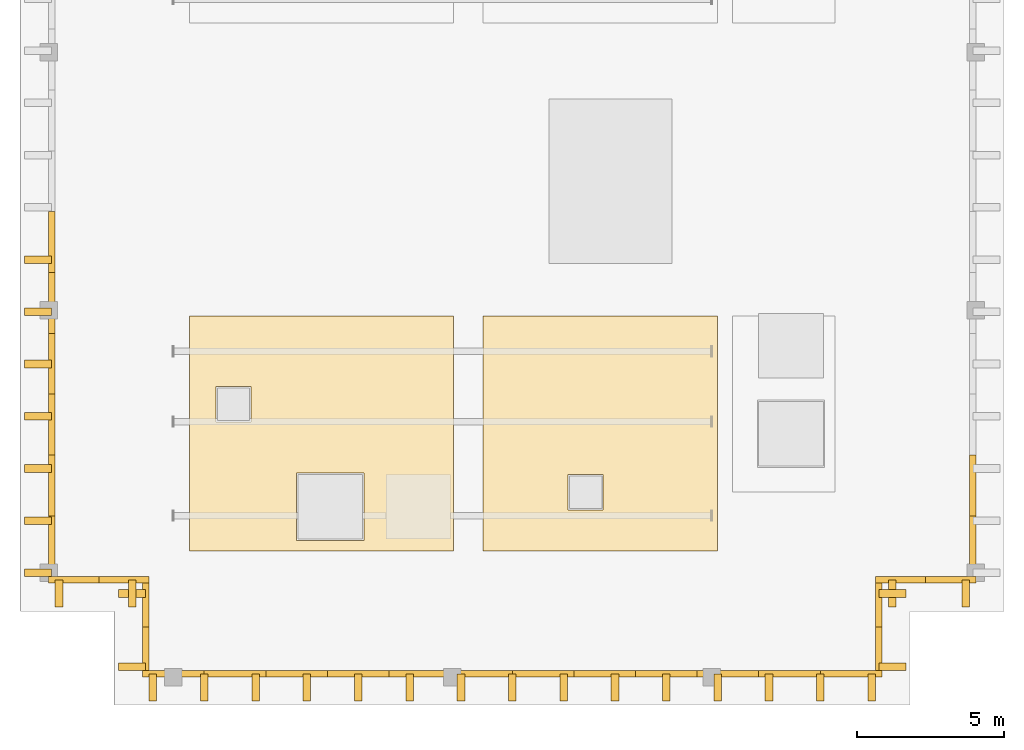
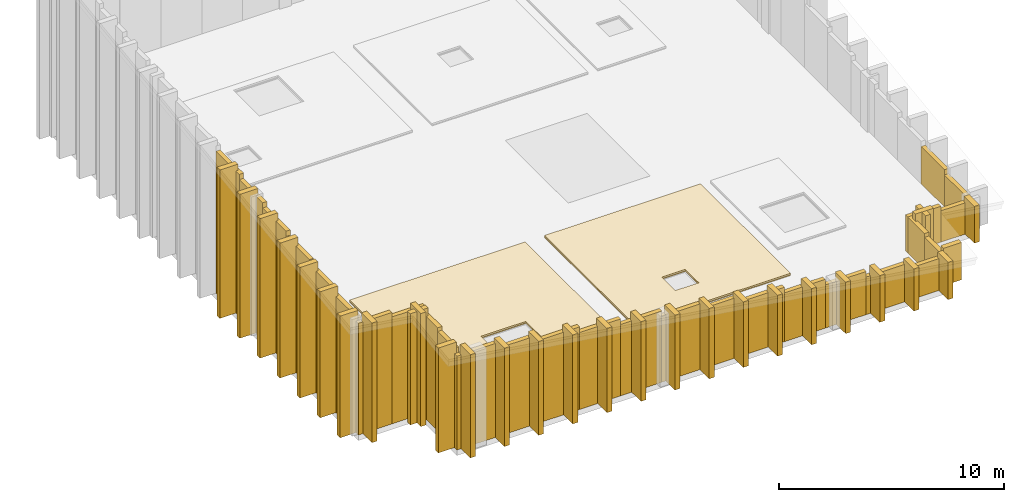
# One storey, part 3 of 5: 62 coverings.
"""IFC4 building model written with IfcOpenShell, lengths in metres."""

from ifc_helpers import new_model, si_unit, direction, frame, origin, place, context, subcontext, project, spatial, polyline, outline, extrude, material, layer, layer_set, type_object, element, save


model = new_model("IFC4")

# Units and contexts
model_context = context("Model", 3, precision=1e-05, world=origin(), true_north=direction((0.0, 1.0)))
body_context = subcontext(model_context, "Body", "Model", "MODEL_VIEW")
ifc_project = project(units=[si_unit("LENGTHUNIT", "METRE"), si_unit("AREAUNIT", "SQUARE_METRE"), si_unit("VOLUMEUNIT", "CUBIC_METRE"), si_unit("PLANEANGLEUNIT", "RADIAN"), si_unit("MASSUNIT", "GRAM", prefix="KILO")], contexts=[model_context])

# Site, building, storey
site_placement = place(None, origin())
site = spatial("IfcSite", under=ifc_project, at=site_placement, CompositionType="ELEMENT")
building_placement = place(site_placement, origin())
building = spatial("IfcBuilding", under=site, at=building_placement, Name="Kundavana Baori Tower", CompositionType="ELEMENT")
storey_placement = place(building_placement, frame((0.0, 0.0, 368.39990234375)))
storey = spatial("IfcBuildingStorey", under=building, at=storey_placement, Name="L89", CompositionType="ELEMENT", Elevation=368.39990234375)

# Coverings
ifc_material_1 = material(Name="Red-Buff Dholpur Sandstone Cladding on Concrete C40/50", Category="masonry")
ifc_layer_1 = layer(ifc_material_1, 0.050048828125, Name="COV-EXT-CLAD")
ifc_layer_set_1 = layer_set([ifc_layer_1], Name="Red-Buff Dholpur Sandstone Cladding on Concrete C40/50")
covering_type_1 = type_object("IfcCoveringType", Name="COV-EXT-CLAD", PredefinedType="CLADDING", material=ifc_layer_set_1)
covering_1_placement = place(storey_placement, origin())
element("IfcCovering", 1, at=covering_1_placement, inside=storey, type_object=covering_type_1, Name="L89 Sloped Sail Crown Stone Cladding Drum 01-01", PredefinedType="CLADDING", context=body_context, shape_type="SweptSolid", body=[
    extrude(outline(polyline([(14.39990234375, 11.699951171875), (16.5, 11.699951171875), (16.5, 11.919921875), (14.39990234375, 11.919921875), (14.39990234375, 11.699951171875)])), origin(), (0.0, 0.0, 1.0), 5.091552734375),
])
covering_2_placement = place(storey_placement, origin())
element("IfcCovering", 2, at=covering_2_placement, inside=storey, type_object=covering_type_1, Name="L89 Sloped Sail Crown Stone Cladding Drum 01-02", PredefinedType="CLADDING", context=body_context, shape_type="SweptSolid", body=[
    extrude(outline(polyline([(16.5, 11.699951171875), (18.60009765625, 11.699951171875), (18.60009765625, 11.919921875), (16.5, 11.919921875), (16.5, 11.699951171875)])), origin(), (0.0, 0.0, 1.0), 4.785888671875),
])
covering_3_placement = place(storey_placement, origin())
element("IfcCovering", 3, at=covering_3_placement, inside=storey, type_object=covering_type_1, Name="L89 Sloped Sail Crown Stone Cladding Drum 01-03", PredefinedType="CLADDING", context=body_context, shape_type="SweptSolid", body=[
    extrude(outline(polyline([(18.60009765625, 11.699951171875), (20.699951171875, 11.699951171875), (20.699951171875, 11.919921875), (18.60009765625, 11.919921875), (18.60009765625, 11.699951171875)])), origin(), (0.0, 0.0, 1.0), 4.480224609375),
])
covering_4_placement = place(storey_placement, origin())
element("IfcCovering", 4, at=covering_4_placement, inside=storey, type_object=covering_type_1, Name="L89 Sloped Sail Crown Stone Cladding Drum 01-04", PredefinedType="CLADDING", context=body_context, shape_type="SweptSolid", body=[
    extrude(outline(polyline([(20.699951171875, 11.699951171875), (22.800048828125, 11.699951171875), (22.800048828125, 11.919921875), (20.699951171875, 11.919921875), (20.699951171875, 11.699951171875)])), origin(), (0.0, 0.0, 1.0), 4.174560546875),
])
covering_5_placement = place(storey_placement, origin())
element("IfcCovering", 5, at=covering_5_placement, inside=storey, type_object=covering_type_1, Name="L89 Sloped Sail Crown Stone Cladding Drum 01-05", PredefinedType="CLADDING", context=body_context, shape_type="SweptSolid", body=[
    extrude(outline(polyline([(22.800048828125, 11.699951171875), (24.89990234375, 11.699951171875), (24.89990234375, 11.919921875), (22.800048828125, 11.919921875), (22.800048828125, 11.699951171875)])), origin(), (0.0, 0.0, 1.0), 3.868896484375),
])
covering_6_placement = place(storey_placement, origin())
element("IfcCovering", 6, at=covering_6_placement, inside=storey, type_object=covering_type_1, Name="L89 Sloped Sail Crown Stone Cladding Drum 01-06", PredefinedType="CLADDING", context=body_context, shape_type="SweptSolid", body=[
    extrude(outline(polyline([(24.89990234375, 11.699951171875), (27.0, 11.699951171875), (27.0, 11.919921875), (24.89990234375, 11.919921875), (24.89990234375, 11.699951171875)])), origin(), (0.0, 0.0, 1.0), 3.56298828125),
])
covering_7_placement = place(storey_placement, origin())
element("IfcCovering", 7, at=covering_7_placement, inside=storey, type_object=covering_type_1, Name="L89 Sloped Sail Crown Stone Cladding Drum 01-07", PredefinedType="CLADDING", context=body_context, shape_type="SweptSolid", body=[
    extrude(outline(polyline([(27.0, 11.699951171875), (29.10009765625, 11.699951171875), (29.10009765625, 11.919921875), (27.0, 11.919921875), (27.0, 11.699951171875)])), origin(), (0.0, 0.0, 1.0), 3.25732421875),
])
covering_8_placement = place(storey_placement, origin())
element("IfcCovering", 8, at=covering_8_placement, inside=storey, type_object=covering_type_1, Name="L89 Sloped Sail Crown Stone Cladding Drum 01-08", PredefinedType="CLADDING", context=body_context, shape_type="SweptSolid", body=[
    extrude(outline(polyline([(29.10009765625, 11.699951171875), (31.199951171875, 11.699951171875), (31.199951171875, 11.919921875), (29.10009765625, 11.919921875), (29.10009765625, 11.699951171875)])), origin(), (0.0, 0.0, 1.0), 2.95166015625),
])
covering_9_placement = place(storey_placement, origin())
element("IfcCovering", 9, at=covering_9_placement, inside=storey, type_object=covering_type_1, Name="L89 Sloped Sail Crown Stone Cladding Drum 01-09", PredefinedType="CLADDING", context=body_context, shape_type="SweptSolid", body=[
    extrude(outline(polyline([(31.199951171875, 11.699951171875), (33.300048828125, 11.699951171875), (33.300048828125, 11.919921875), (31.199951171875, 11.919921875), (31.199951171875, 11.699951171875)])), origin(), (0.0, 0.0, 1.0), 2.64599609375),
])
covering_10_placement = place(storey_placement, origin())
element("IfcCovering", 10, at=covering_10_placement, inside=storey, type_object=covering_type_1, Name="L89 Sloped Sail Crown Stone Cladding Drum 01-10", PredefinedType="CLADDING", context=body_context, shape_type="SweptSolid", body=[
    extrude(outline(polyline([(33.300048828125, 11.699951171875), (35.39990234375, 11.699951171875), (35.39990234375, 11.919921875), (33.300048828125, 11.919921875), (33.300048828125, 11.699951171875)])), origin(), (0.0, 0.0, 1.0), 2.34033203125),
])
covering_11_placement = place(storey_placement, origin())
element("IfcCovering", 11, at=covering_11_placement, inside=storey, type_object=covering_type_1, Name="L89 Sloped Sail Crown Stone Cladding Drum 01-11", PredefinedType="CLADDING", context=body_context, shape_type="SweptSolid", body=[
    extrude(outline(polyline([(35.39990234375, 11.699951171875), (37.5, 11.699951171875), (37.5, 11.919921875), (35.39990234375, 11.919921875), (35.39990234375, 11.699951171875)])), origin(), (0.0, 0.0, 1.0), 2.03466796875),
])
covering_12_placement = place(storey_placement, origin())
element("IfcCovering", 12, at=covering_12_placement, inside=storey, type_object=covering_type_1, Name="L89 Sloped Sail Crown Stone Cladding Drum 01-12", PredefinedType="CLADDING", context=body_context, shape_type="SweptSolid", body=[
    extrude(outline(polyline([(37.5, 11.699951171875), (39.60009765625, 11.699951171875), (39.60009765625, 11.919921875), (37.5, 11.919921875), (37.5, 11.699951171875)])), origin(), (0.0, 0.0, 1.0), 1.72900390625),
])
covering_13_placement = place(storey_placement, origin())
element("IfcCovering", 13, at=covering_13_placement, inside=storey, type_object=covering_type_1, Name="L89 Sloped Sail Crown Stone Cladding Drum 02-01", PredefinedType="CLADDING", context=body_context, shape_type="SweptSolid", body=[
    extrude(outline(polyline([(39.3798828125, 11.919921875), (39.60009765625, 11.919921875), (39.60009765625, 13.409912109375), (39.3798828125, 13.409912109375), (39.3798828125, 11.919921875)])), origin(), (0.0, 0.0, 1.0), 1.760009765625),
])
covering_14_placement = place(storey_placement, origin())
element("IfcCovering", 14, at=covering_14_placement, inside=storey, type_object=covering_type_1, Name="L89 Sloped Sail Crown Stone Cladding Drum 02-02", PredefinedType="CLADDING", context=body_context, shape_type="SweptSolid", body=[
    extrude(outline(polyline([(39.3798828125, 13.409912109375), (39.60009765625, 13.409912109375), (39.60009765625, 14.89990234375), (39.3798828125, 14.89990234375), (39.3798828125, 13.409912109375)])), origin(), (0.0, 0.0, 1.0), 1.962646484375),
])
covering_15_placement = place(storey_placement, origin())
element("IfcCovering", 15, at=covering_15_placement, inside=storey, type_object=covering_type_1, Name="L89 Sloped Sail Crown Stone Cladding Drum 03-01", PredefinedType="CLADDING", context=body_context, shape_type="SweptSolid", body=[
    extrude(outline(polyline([(39.3798828125, 14.89990234375), (41.090087890625, 14.89990234375), (41.090087890625, 15.1201171875), (39.3798828125, 15.1201171875), (39.3798828125, 14.89990234375)])), origin(), (0.0, 0.0, 1.0), 1.947509765625),
])
covering_16_placement = place(storey_placement, origin())
element("IfcCovering", 16, at=covering_16_placement, inside=storey, type_object=covering_type_1, Name="L89 Sloped Sail Crown Stone Cladding Drum 03-02", PredefinedType="CLADDING", context=body_context, shape_type="SweptSolid", body=[
    extrude(outline(polyline([(41.090087890625, 14.89990234375), (42.800048828125, 14.89990234375), (42.800048828125, 15.1201171875), (41.090087890625, 15.1201171875), (41.090087890625, 14.89990234375)])), origin(), (0.0, 0.0, 1.0), 1.698486328125),
])
covering_17_placement = place(storey_placement, origin())
element("IfcCovering", 17, at=covering_17_placement, inside=storey, type_object=covering_type_1, Name="L89 Sloped Sail Crown Stone Cladding Drum 04-01", PredefinedType="CLADDING", context=body_context, shape_type="SweptSolid", body=[
    extrude(outline(polyline([(42.580078125, 15.1201171875), (42.800048828125, 15.1201171875), (42.800048828125, 17.194091796875), (42.580078125, 17.194091796875), (42.580078125, 15.1201171875)])), origin(), (0.0, 0.0, 1.0), 1.7294921875),
])
covering_18_placement = place(storey_placement, origin())
element("IfcCovering", 18, at=covering_18_placement, inside=storey, type_object=covering_type_1, Name="L89 Sloped Sail Crown Stone Cladding Drum 04-02", PredefinedType="CLADDING", context=body_context, shape_type="SweptSolid", body=[
    extrude(outline(polyline([(42.580078125, 17.194091796875), (42.800048828125, 17.194091796875), (42.800048828125, 19.26806640625), (42.580078125, 19.26806640625), (42.580078125, 17.194091796875)])), origin(), (0.0, 0.0, 1.0), 2.01171875),
])
covering_19_placement = place(storey_placement, origin())
element("IfcCovering", 19, at=covering_19_placement, inside=storey, type_object=covering_type_1, Name="L89 Sloped Sail Crown Stone Cladding Drum 10-08", PredefinedType="CLADDING", context=body_context, shape_type="SweptSolid", body=[
    extrude(outline(polyline([(11.199951171875, 25.489013671875), (11.419921875, 25.489013671875), (11.419921875, 27.56298828125), (11.199951171875, 27.56298828125), (11.199951171875, 25.489013671875)])), origin(), (0.0, 0.0, 1.0), 7.708740234375),
])
covering_20_placement = place(storey_placement, origin())
element("IfcCovering", 20, at=covering_20_placement, inside=storey, type_object=covering_type_1, Name="L89 Sloped Sail Crown Stone Cladding Drum 10-09", PredefinedType="CLADDING", context=body_context, shape_type="SweptSolid", body=[
    extrude(outline(polyline([(11.199951171875, 23.4150390625), (11.419921875, 23.4150390625), (11.419921875, 25.489013671875), (11.199951171875, 25.489013671875), (11.199951171875, 23.4150390625)])), origin(), (0.0, 0.0, 1.0), 7.426513671875),
])
covering_21_placement = place(storey_placement, origin())
element("IfcCovering", 21, at=covering_21_placement, inside=storey, type_object=covering_type_1, Name="L89 Sloped Sail Crown Stone Cladding Drum 10-10", PredefinedType="CLADDING", context=body_context, shape_type="SweptSolid", body=[
    extrude(outline(polyline([(11.199951171875, 21.341064453125), (11.419921875, 21.341064453125), (11.419921875, 23.4150390625), (11.199951171875, 23.4150390625), (11.199951171875, 21.341064453125)])), origin(), (0.0, 0.0, 1.0), 7.144287109375),
])
covering_22_placement = place(storey_placement, origin())
element("IfcCovering", 22, at=covering_22_placement, inside=storey, type_object=covering_type_1, Name="L89 Sloped Sail Crown Stone Cladding Drum 10-11", PredefinedType="CLADDING", context=body_context, shape_type="SweptSolid", body=[
    extrude(outline(polyline([(11.199951171875, 19.26806640625), (11.419921875, 19.26806640625), (11.419921875, 21.341064453125), (11.199951171875, 21.341064453125), (11.199951171875, 19.26806640625)])), origin(), (0.0, 0.0, 1.0), 6.862060546875),
])
covering_23_placement = place(storey_placement, origin())
element("IfcCovering", 23, at=covering_23_placement, inside=storey, type_object=covering_type_1, Name="L89 Sloped Sail Crown Stone Cladding Drum 10-12", PredefinedType="CLADDING", context=body_context, shape_type="SweptSolid", body=[
    extrude(outline(polyline([(11.199951171875, 17.194091796875), (11.419921875, 17.194091796875), (11.419921875, 19.26806640625), (11.199951171875, 19.26806640625), (11.199951171875, 17.194091796875)])), origin(), (0.0, 0.0, 1.0), 6.579833984375),
])
covering_24_placement = place(storey_placement, origin())
element("IfcCovering", 24, at=covering_24_placement, inside=storey, type_object=covering_type_1, Name="L89 Sloped Sail Crown Stone Cladding Drum 10-13", PredefinedType="CLADDING", context=body_context, shape_type="SweptSolid", body=[
    extrude(outline(polyline([(11.199951171875, 15.1201171875), (11.419921875, 15.1201171875), (11.419921875, 17.194091796875), (11.199951171875, 17.194091796875), (11.199951171875, 15.1201171875)])), origin(), (0.0, 0.0, 1.0), 6.297607421875),
])
covering_25_placement = place(storey_placement, origin())
element("IfcCovering", 25, at=covering_25_placement, inside=storey, type_object=covering_type_1, Name="L89 Sloped Sail Crown Stone Cladding Drum 11-01", PredefinedType="CLADDING", context=body_context, shape_type="SweptSolid", body=[
    extrude(outline(polyline([(11.199951171875, 14.89990234375), (12.909912109375, 14.89990234375), (12.909912109375, 15.1201171875), (11.199951171875, 15.1201171875), (11.199951171875, 14.89990234375)])), origin(), (0.0, 0.0, 1.0), 6.049560546875),
])
covering_26_placement = place(storey_placement, origin())
element("IfcCovering", 26, at=covering_26_placement, inside=storey, type_object=covering_type_1, Name="L89 Sloped Sail Crown Stone Cladding Drum 11-02", PredefinedType="CLADDING", context=body_context, shape_type="SweptSolid", body=[
    extrude(outline(polyline([(12.909912109375, 14.89990234375), (14.6201171875, 14.89990234375), (14.6201171875, 15.1201171875), (12.909912109375, 15.1201171875), (12.909912109375, 14.89990234375)])), origin(), (0.0, 0.0, 1.0), 5.80078125),
])
covering_27_placement = place(storey_placement, origin())
element("IfcCovering", 27, at=covering_27_placement, inside=storey, type_object=covering_type_1, Name="L89 Sloped Sail Crown Stone Cladding Drum 12-01", PredefinedType="CLADDING", context=body_context, shape_type="SweptSolid", body=[
    extrude(outline(polyline([(14.39990234375, 13.409912109375), (14.6201171875, 13.409912109375), (14.6201171875, 14.89990234375), (14.39990234375, 14.89990234375), (14.39990234375, 13.409912109375)])), origin(), (0.0, 0.0, 1.0), 5.598876953125),
])
covering_28_placement = place(storey_placement, origin())
element("IfcCovering", 28, at=covering_28_placement, inside=storey, type_object=covering_type_1, Name="L89 Sloped Sail Crown Stone Cladding Drum 12-02", PredefinedType="CLADDING", context=body_context, shape_type="SweptSolid", body=[
    extrude(outline(polyline([(14.39990234375, 11.919921875), (14.6201171875, 11.919921875), (14.6201171875, 13.409912109375), (14.39990234375, 13.409912109375), (14.39990234375, 11.919921875)])), origin(), (0.0, 0.0, 1.0), 5.396240234375),
])
ifc_material_2 = material(Name="Elastomeric APP Waterproofing Roofing Membrane")
ifc_layer_2 = layer(ifc_material_2, 0.044921875, Name="COV-ROOF-MEMB")
ifc_layer_set_2 = layer_set([ifc_layer_2], Name="Elastomeric APP Waterproofing Roofing Membrane")
covering_type_2 = type_object("IfcCoveringType", Name="COV-ROOF-MEMB", PredefinedType="ROOFING", material=ifc_layer_set_2)
covering_29_placement = place(storey_placement, origin())
element("IfcCovering", 29, at=covering_29_placement, inside=storey, type_object=covering_type_2, Name="L89 Crown Roof Waterproofing Membrane 1", PredefinedType="ROOFING", context=body_context, shape_type="SweptSolid", body=[
    extrude(outline(polyline([(16.0, 16.0), (25.0, 16.0), (25.0, 24.0), (16.0, 24.0), (16.0, 16.0)]), holes=[polyline([(19.64990234375, 16.35009765625), (21.949951171875, 16.35009765625), (21.949951171875, 18.64990234375), (19.64990234375, 18.64990234375), (19.64990234375, 16.35009765625)]), polyline([(16.89990234375, 20.39990234375), (18.10009765625, 20.39990234375), (18.10009765625, 21.60009765625), (16.89990234375, 21.60009765625), (16.89990234375, 20.39990234375)])]), origin(), (0.0, 0.0, 1.0), 0.045166015625),
])
covering_30_placement = place(storey_placement, origin())
element("IfcCovering", 30, at=covering_30_placement, inside=storey, type_object=covering_type_2, Name="L89 Crown Roof Waterproofing Membrane 3", PredefinedType="ROOFING", context=body_context, shape_type="SweptSolid", body=[
    extrude(outline(polyline([(26.0, 16.0), (34.0, 16.0), (34.0, 24.0), (26.0, 24.0), (26.0, 16.0)]), holes=[polyline([(28.89990234375, 17.39990234375), (30.10009765625, 17.39990234375), (30.10009765625, 18.60009765625), (28.89990234375, 18.60009765625), (28.89990234375, 17.39990234375)])]), origin(), (0.0, 0.0, 1.0), 0.045166015625),
])
ifc_material_3 = material(Name="Cream-White Makrana Limestone on Concrete C40/50", Category="masonry")
ifc_layer_3 = layer(ifc_material_3, 0.239990234375, Name="COV-SAIL-FIN")
ifc_layer_set_3 = layer_set([ifc_layer_3], Name="Cream-White Makrana Limestone on Concrete C40/50")
covering_type_3 = type_object("IfcCoveringType", Name="COV-SAIL-FIN", PredefinedType="CLADDING", material=ifc_layer_set_3)
covering_31_placement = place(storey_placement, origin())
element("IfcCovering", 31, at=covering_31_placement, inside=storey, type_object=covering_type_3, Name="L89 Climbing Makrana White Limestone Sail Fin 001", PredefinedType="CLADDING", context=body_context, shape_type="SweptSolid", body=[
    extrude(outline(polyline([(14.6201171875, 10.8798828125), (14.8798828125, 10.8798828125), (14.8798828125, 11.800048828125), (14.6201171875, 11.800048828125), (14.6201171875, 10.8798828125)])), origin(), (0.0, 0.0, 1.0), 5.59326171875),
])
covering_32_placement = place(storey_placement, origin())
element("IfcCovering", 32, at=covering_32_placement, inside=storey, type_object=covering_type_3, Name="L89 Climbing Makrana White Limestone Sail Fin 002", PredefinedType="CLADDING", context=body_context, shape_type="SweptSolid", body=[
    extrude(outline(polyline([(16.3701171875, 10.8798828125), (16.6298828125, 10.8798828125), (16.6298828125, 11.800048828125), (16.3701171875, 11.800048828125), (16.3701171875, 10.8798828125)])), origin(), (0.0, 0.0, 1.0), 5.338623046875),
])
covering_33_placement = place(storey_placement, origin())
element("IfcCovering", 33, at=covering_33_placement, inside=storey, type_object=covering_type_3, Name="L89 Climbing Makrana White Limestone Sail Fin 003", PredefinedType="CLADDING", context=body_context, shape_type="SweptSolid", body=[
    extrude(outline(polyline([(18.1201171875, 10.8798828125), (18.3798828125, 10.8798828125), (18.3798828125, 11.800048828125), (18.1201171875, 11.800048828125), (18.1201171875, 10.8798828125)])), origin(), (0.0, 0.0, 1.0), 5.083740234375),
])
covering_34_placement = place(storey_placement, origin())
element("IfcCovering", 34, at=covering_34_placement, inside=storey, type_object=covering_type_3, Name="L89 Climbing Makrana White Limestone Sail Fin 004", PredefinedType="CLADDING", context=body_context, shape_type="SweptSolid", body=[
    extrude(outline(polyline([(19.8701171875, 10.8798828125), (20.1298828125, 10.8798828125), (20.1298828125, 11.800048828125), (19.8701171875, 11.800048828125), (19.8701171875, 10.8798828125)])), origin(), (0.0, 0.0, 1.0), 4.8291015625),
])
covering_35_placement = place(storey_placement, origin())
element("IfcCovering", 35, at=covering_35_placement, inside=storey, type_object=covering_type_3, Name="L89 Climbing Makrana White Limestone Sail Fin 005", PredefinedType="CLADDING", context=body_context, shape_type="SweptSolid", body=[
    extrude(outline(polyline([(21.6201171875, 10.8798828125), (21.8798828125, 10.8798828125), (21.8798828125, 11.800048828125), (21.6201171875, 11.800048828125), (21.6201171875, 10.8798828125)])), origin(), (0.0, 0.0, 1.0), 4.57421875),
])
covering_36_placement = place(storey_placement, origin())
element("IfcCovering", 36, at=covering_36_placement, inside=storey, type_object=covering_type_3, Name="L89 Climbing Makrana White Limestone Sail Fin 006", PredefinedType="CLADDING", context=body_context, shape_type="SweptSolid", body=[
    extrude(outline(polyline([(23.3701171875, 10.8798828125), (23.6298828125, 10.8798828125), (23.6298828125, 11.800048828125), (23.3701171875, 11.800048828125), (23.3701171875, 10.8798828125)])), origin(), (0.0, 0.0, 1.0), 4.319580078125),
])
covering_37_placement = place(storey_placement, origin())
element("IfcCovering", 37, at=covering_37_placement, inside=storey, type_object=covering_type_3, Name="L89 Climbing Makrana White Limestone Sail Fin 007", PredefinedType="CLADDING", context=body_context, shape_type="SweptSolid", body=[
    extrude(outline(polyline([(25.1201171875, 10.8798828125), (25.3798828125, 10.8798828125), (25.3798828125, 11.800048828125), (25.1201171875, 11.800048828125), (25.1201171875, 10.8798828125)])), origin(), (0.0, 0.0, 1.0), 4.064697265625),
])
covering_38_placement = place(storey_placement, origin())
element("IfcCovering", 38, at=covering_38_placement, inside=storey, type_object=covering_type_3, Name="L89 Climbing Makrana White Limestone Sail Fin 008", PredefinedType="CLADDING", context=body_context, shape_type="SweptSolid", body=[
    extrude(outline(polyline([(26.8701171875, 10.8798828125), (27.1298828125, 10.8798828125), (27.1298828125, 11.800048828125), (26.8701171875, 11.800048828125), (26.8701171875, 10.8798828125)])), origin(), (0.0, 0.0, 1.0), 3.81005859375),
])
covering_39_placement = place(storey_placement, origin())
element("IfcCovering", 39, at=covering_39_placement, inside=storey, type_object=covering_type_3, Name="L89 Climbing Makrana White Limestone Sail Fin 009", PredefinedType="CLADDING", context=body_context, shape_type="SweptSolid", body=[
    extrude(outline(polyline([(28.6201171875, 10.8798828125), (28.8798828125, 10.8798828125), (28.8798828125, 11.800048828125), (28.6201171875, 11.800048828125), (28.6201171875, 10.8798828125)])), origin(), (0.0, 0.0, 1.0), 3.555419921875),
])
covering_40_placement = place(storey_placement, origin())
element("IfcCovering", 40, at=covering_40_placement, inside=storey, type_object=covering_type_3, Name="L89 Climbing Makrana White Limestone Sail Fin 010", PredefinedType="CLADDING", context=body_context, shape_type="SweptSolid", body=[
    extrude(outline(polyline([(30.3701171875, 10.8798828125), (30.6298828125, 10.8798828125), (30.6298828125, 11.800048828125), (30.3701171875, 11.800048828125), (30.3701171875, 10.8798828125)])), origin(), (0.0, 0.0, 1.0), 3.300537109375),
])
covering_41_placement = place(storey_placement, origin())
element("IfcCovering", 41, at=covering_41_placement, inside=storey, type_object=covering_type_3, Name="L89 Climbing Makrana White Limestone Sail Fin 011", PredefinedType="CLADDING", context=body_context, shape_type="SweptSolid", body=[
    extrude(outline(polyline([(32.1201171875, 10.8798828125), (32.3798828125, 10.8798828125), (32.3798828125, 11.800048828125), (32.1201171875, 11.800048828125), (32.1201171875, 10.8798828125)])), origin(), (0.0, 0.0, 1.0), 3.0458984375),
])
covering_42_placement = place(storey_placement, origin())
element("IfcCovering", 42, at=covering_42_placement, inside=storey, type_object=covering_type_3, Name="L89 Climbing Makrana White Limestone Sail Fin 012", PredefinedType="CLADDING", context=body_context, shape_type="SweptSolid", body=[
    extrude(outline(polyline([(33.8701171875, 10.8798828125), (34.1298828125, 10.8798828125), (34.1298828125, 11.800048828125), (33.8701171875, 11.800048828125), (33.8701171875, 10.8798828125)])), origin(), (0.0, 0.0, 1.0), 2.791015625),
])
covering_43_placement = place(storey_placement, origin())
element("IfcCovering", 43, at=covering_43_placement, inside=storey, type_object=covering_type_3, Name="L89 Climbing Makrana White Limestone Sail Fin 013", PredefinedType="CLADDING", context=body_context, shape_type="SweptSolid", body=[
    extrude(outline(polyline([(35.6201171875, 10.8798828125), (35.8798828125, 10.8798828125), (35.8798828125, 11.800048828125), (35.6201171875, 11.800048828125), (35.6201171875, 10.8798828125)])), origin(), (0.0, 0.0, 1.0), 2.536376953125),
])
covering_44_placement = place(storey_placement, origin())
element("IfcCovering", 44, at=covering_44_placement, inside=storey, type_object=covering_type_3, Name="L89 Climbing Makrana White Limestone Sail Fin 014", PredefinedType="CLADDING", context=body_context, shape_type="SweptSolid", body=[
    extrude(outline(polyline([(37.3701171875, 10.8798828125), (37.6298828125, 10.8798828125), (37.6298828125, 11.800048828125), (37.3701171875, 11.800048828125), (37.3701171875, 10.8798828125)])), origin(), (0.0, 0.0, 1.0), 2.281494140625),
])
covering_45_placement = place(storey_placement, origin())
element("IfcCovering", 45, at=covering_45_placement, inside=storey, type_object=covering_type_3, Name="L89 Climbing Makrana White Limestone Sail Fin 015", PredefinedType="CLADDING", context=body_context, shape_type="SweptSolid", body=[
    extrude(outline(polyline([(39.1201171875, 10.8798828125), (39.3798828125, 10.8798828125), (39.3798828125, 11.800048828125), (39.1201171875, 11.800048828125), (39.1201171875, 10.8798828125)])), origin(), (0.0, 0.0, 1.0), 2.02685546875),
])
covering_46_placement = place(storey_placement, origin())
element("IfcCovering", 46, at=covering_46_placement, inside=storey, type_object=covering_type_3, Name="L89 Climbing Makrana White Limestone Sail Fin 016", PredefinedType="CLADDING", context=body_context, shape_type="SweptSolid", body=[
    extrude(outline(polyline([(39.5, 11.919921875), (40.419921875, 11.919921875), (40.419921875, 12.179931640625), (39.5, 12.179931640625), (39.5, 11.919921875)])), origin(), (0.0, 0.0, 1.0), 2.023681640625),
])
covering_47_placement = place(storey_placement, origin())
element("IfcCovering", 47, at=covering_47_placement, inside=storey, type_object=covering_type_3, Name="L89 Climbing Makrana White Limestone Sail Fin 017", PredefinedType="CLADDING", context=body_context, shape_type="SweptSolid", body=[
    extrude(outline(polyline([(39.5, 14.419921875), (40.419921875, 14.419921875), (40.419921875, 14.679931640625), (39.5, 14.679931640625), (39.5, 14.419921875)])), origin(), (0.0, 0.0, 1.0), 2.36376953125),
])
covering_48_placement = place(storey_placement, origin())
element("IfcCovering", 48, at=covering_48_placement, inside=storey, type_object=covering_type_3, Name="L89 Climbing Makrana White Limestone Sail Fin 018", PredefinedType="CLADDING", context=body_context, shape_type="SweptSolid", body=[
    extrude(outline(polyline([(39.820068359375, 14.080078125), (40.080078125, 14.080078125), (40.080078125, 15.0), (39.820068359375, 15.0), (39.820068359375, 14.080078125)])), origin(), (0.0, 0.0, 1.0), 2.360595703125),
])
covering_49_placement = place(storey_placement, origin())
element("IfcCovering", 49, at=covering_49_placement, inside=storey, type_object=covering_type_3, Name="L89 Climbing Makrana White Limestone Sail Fin 019", PredefinedType="CLADDING", context=body_context, shape_type="SweptSolid", body=[
    extrude(outline(polyline([(42.320068359375, 14.080078125), (42.580078125, 14.080078125), (42.580078125, 15.0), (42.320068359375, 15.0), (42.320068359375, 14.080078125)])), origin(), (0.0, 0.0, 1.0), 1.99658203125),
])
covering_50_placement = place(storey_placement, origin())
element("IfcCovering", 50, at=covering_50_placement, inside=storey, type_object=covering_type_3, Name="L89 Climbing Makrana White Limestone Sail Fin 068", PredefinedType="CLADDING", context=body_context, shape_type="SweptSolid", body=[
    extrude(outline(polyline([(10.3798828125, 25.800048828125), (11.300048828125, 25.800048828125), (11.300048828125, 26.06005859375), (10.3798828125, 26.06005859375), (10.3798828125, 25.800048828125)])), origin(), (0.0, 0.0, 1.0), 8.046630859375),
])
covering_51_placement = place(storey_placement, origin())
element("IfcCovering", 51, at=covering_51_placement, inside=storey, type_object=covering_type_3, Name="L89 Climbing Makrana White Limestone Sail Fin 069", PredefinedType="CLADDING", context=body_context, shape_type="SweptSolid", body=[
    extrude(outline(polyline([(10.3798828125, 24.02001953125), (11.300048828125, 24.02001953125), (11.300048828125, 24.280029296875), (10.3798828125, 24.280029296875), (10.3798828125, 24.02001953125)])), origin(), (0.0, 0.0, 1.0), 7.804443359375),
])
covering_52_placement = place(storey_placement, origin())
element("IfcCovering", 52, at=covering_52_placement, inside=storey, type_object=covering_type_3, Name="L89 Climbing Makrana White Limestone Sail Fin 070", PredefinedType="CLADDING", context=body_context, shape_type="SweptSolid", body=[
    extrude(outline(polyline([(10.3798828125, 22.239990234375), (11.300048828125, 22.239990234375), (11.300048828125, 22.5), (10.3798828125, 22.5), (10.3798828125, 22.239990234375)])), origin(), (0.0, 0.0, 1.0), 7.562255859375),
])
covering_53_placement = place(storey_placement, origin())
element("IfcCovering", 53, at=covering_53_placement, inside=storey, type_object=covering_type_3, Name="L89 Climbing Makrana White Limestone Sail Fin 071", PredefinedType="CLADDING", context=body_context, shape_type="SweptSolid", body=[
    extrude(outline(polyline([(10.3798828125, 20.4599609375), (11.300048828125, 20.4599609375), (11.300048828125, 20.719970703125), (10.3798828125, 20.719970703125), (10.3798828125, 20.4599609375)])), origin(), (0.0, 0.0, 1.0), 7.320068359375),
])
covering_54_placement = place(storey_placement, origin())
element("IfcCovering", 54, at=covering_54_placement, inside=storey, type_object=covering_type_3, Name="L89 Climbing Makrana White Limestone Sail Fin 072", PredefinedType="CLADDING", context=body_context, shape_type="SweptSolid", body=[
    extrude(outline(polyline([(10.3798828125, 18.679931640625), (11.300048828125, 18.679931640625), (11.300048828125, 18.93994140625), (10.3798828125, 18.93994140625), (10.3798828125, 18.679931640625)])), origin(), (0.0, 0.0, 1.0), 7.07763671875),
])
covering_55_placement = place(storey_placement, origin())
element("IfcCovering", 55, at=covering_55_placement, inside=storey, type_object=covering_type_3, Name="L89 Climbing Makrana White Limestone Sail Fin 073", PredefinedType="CLADDING", context=body_context, shape_type="SweptSolid", body=[
    extrude(outline(polyline([(10.3798828125, 16.89990234375), (11.300048828125, 16.89990234375), (11.300048828125, 17.159912109375), (10.3798828125, 17.159912109375), (10.3798828125, 16.89990234375)])), origin(), (0.0, 0.0, 1.0), 6.83544921875),
])
covering_56_placement = place(storey_placement, origin())
element("IfcCovering", 56, at=covering_56_placement, inside=storey, type_object=covering_type_3, Name="L89 Climbing Makrana White Limestone Sail Fin 074", PredefinedType="CLADDING", context=body_context, shape_type="SweptSolid", body=[
    extrude(outline(polyline([(10.3798828125, 15.1201171875), (11.300048828125, 15.1201171875), (11.300048828125, 15.3798828125), (10.3798828125, 15.3798828125), (10.3798828125, 15.1201171875)])), origin(), (0.0, 0.0, 1.0), 6.59326171875),
])
covering_57_placement = place(storey_placement, origin())
element("IfcCovering", 57, at=covering_57_placement, inside=storey, type_object=covering_type_3, Name="L89 Climbing Makrana White Limestone Sail Fin 075", PredefinedType="CLADDING", context=body_context, shape_type="SweptSolid", body=[
    extrude(outline(polyline([(11.419921875, 14.080078125), (11.679931640625, 14.080078125), (11.679931640625, 15.0), (11.419921875, 15.0), (11.419921875, 14.080078125)])), origin(), (0.0, 0.0, 1.0), 6.49462890625),
])
covering_58_placement = place(storey_placement, origin())
element("IfcCovering", 58, at=covering_58_placement, inside=storey, type_object=covering_type_3, Name="L89 Climbing Makrana White Limestone Sail Fin 076", PredefinedType="CLADDING", context=body_context, shape_type="SweptSolid", body=[
    extrude(outline(polyline([(13.919921875, 14.080078125), (14.179931640625, 14.080078125), (14.179931640625, 15.0), (13.919921875, 15.0), (13.919921875, 14.080078125)])), origin(), (0.0, 0.0, 1.0), 6.130615234375),
])
covering_59_placement = place(storey_placement, origin())
element("IfcCovering", 59, at=covering_59_placement, inside=storey, type_object=covering_type_3, Name="L89 Climbing Makrana White Limestone Sail Fin 077", PredefinedType="CLADDING", context=body_context, shape_type="SweptSolid", body=[
    extrude(outline(polyline([(13.580078125, 14.419921875), (14.5, 14.419921875), (14.5, 14.679931640625), (13.580078125, 14.679931640625), (13.580078125, 14.419921875)])), origin(), (0.0, 0.0, 1.0), 6.031982421875),
])
covering_60_placement = place(storey_placement, origin())
element("IfcCovering", 60, at=covering_60_placement, inside=storey, type_object=covering_type_3, Name="L89 Climbing Makrana White Limestone Sail Fin 078", PredefinedType="CLADDING", context=body_context, shape_type="SweptSolid", body=[
    extrude(outline(polyline([(13.580078125, 11.919921875), (14.5, 11.919921875), (14.5, 12.179931640625), (13.580078125, 12.179931640625), (13.580078125, 11.919921875)])), origin(), (0.0, 0.0, 1.0), 5.69189453125),
])
ifc_material_4 = material(Name="Elastomeric APP Waterproofing Roofing Membrane")
ifc_layer_4 = layer(ifc_material_4, 0.080078125, Name="COV-TER-INSUL")
ifc_layer_set_4 = layer_set([ifc_layer_4], Name="Elastomeric APP Waterproofing Roofing Membrane")
covering_type_4 = type_object("IfcCoveringType", Name="COV-TER-INSUL", PredefinedType="INSULATION", material=ifc_layer_set_4)
covering_61_placement = place(storey_placement, frame((0.0, 0.0, 0.045166015625)))
element("IfcCovering", 61, at=covering_61_placement, inside=storey, type_object=covering_type_4, Name="L89 Main Roof Thermal Insulation Layer 1", PredefinedType="INSULATION", context=body_context, shape_type="SweptSolid", body=[
    extrude(outline(polyline([(16.0, 16.0), (25.0, 16.0), (25.0, 24.0), (16.0, 24.0), (16.0, 16.0)]), holes=[polyline([(19.64990234375, 16.35009765625), (21.949951171875, 16.35009765625), (21.949951171875, 18.64990234375), (19.64990234375, 18.64990234375), (19.64990234375, 16.35009765625)]), polyline([(16.89990234375, 20.39990234375), (18.10009765625, 20.39990234375), (18.10009765625, 21.60009765625), (16.89990234375, 21.60009765625), (16.89990234375, 20.39990234375)])]), origin(), (0.0, 0.0, 1.0), 0.079833984375),
])
covering_62_placement = place(storey_placement, frame((0.0, 0.0, 0.045166015625)))
element("IfcCovering", 62, at=covering_62_placement, inside=storey, type_object=covering_type_4, Name="L89 Main Roof Thermal Insulation Layer 3", PredefinedType="INSULATION", context=body_context, shape_type="SweptSolid", body=[
    extrude(outline(polyline([(26.0, 16.0), (34.0, 16.0), (34.0, 24.0), (26.0, 24.0), (26.0, 16.0)]), holes=[polyline([(28.89990234375, 17.39990234375), (30.10009765625, 17.39990234375), (30.10009765625, 18.60009765625), (28.89990234375, 18.60009765625), (28.89990234375, 17.39990234375)])]), origin(), (0.0, 0.0, 1.0), 0.079833984375),
])

save(model, "model.ifc")
